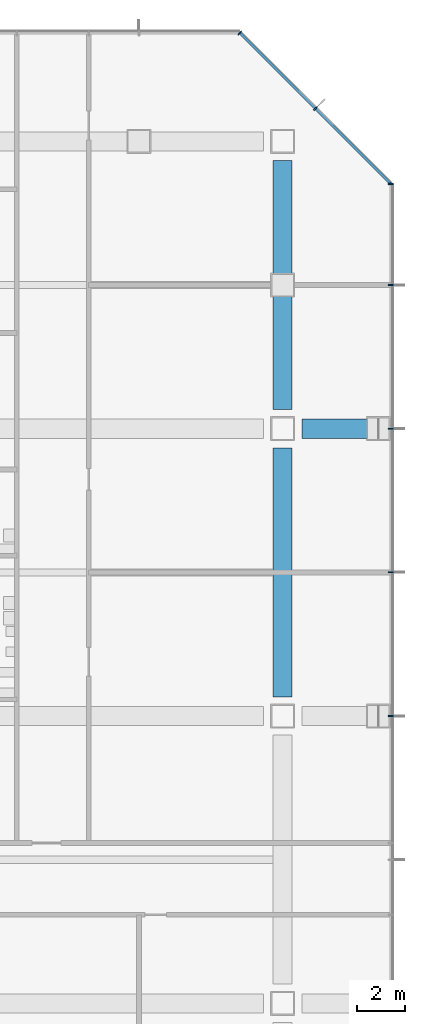
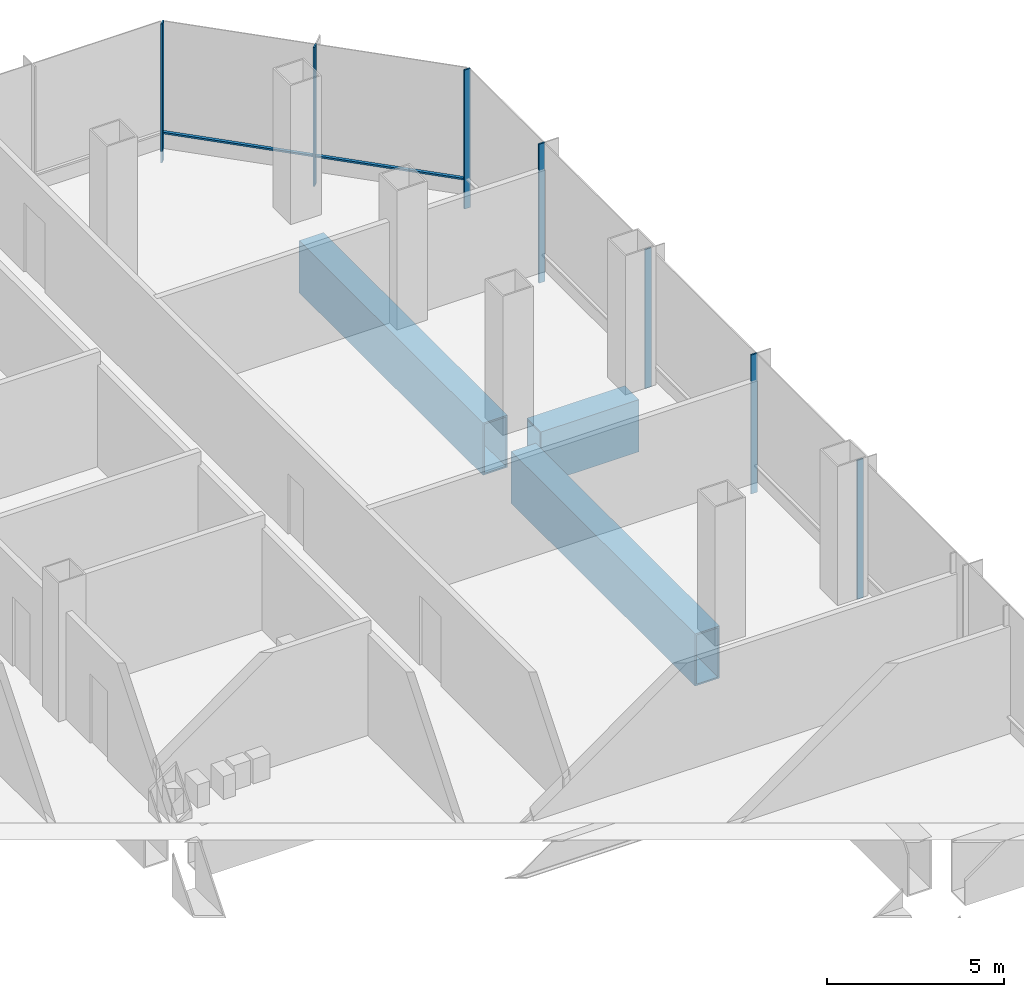
# One storey, part 18 of 34: 8 members, 3 beams, 2 elements without a shape of their own.
"""IFC4 building model written with IfcOpenShell, lengths in metres."""

from ifc_helpers import new_model, si_unit, direction, frame, origin, origin_2d, place, context, subcontext, project, spatial, rectangle, hollow_rectangle, extrude, material, material_profile, profile_set, type_object, element, aggregate, save


model = new_model("IFC4")

# Units and contexts
model_context = context("Model", 3, precision=1e-05, world=origin(), true_north=direction((0.0, 1.0)))
body_context = subcontext(model_context, "Body", "Model", "MODEL_VIEW")
ifc_project = project(units=[si_unit("LENGTHUNIT", "METRE"), si_unit("AREAUNIT", "SQUARE_METRE"), si_unit("VOLUMEUNIT", "CUBIC_METRE"), si_unit("PLANEANGLEUNIT", "RADIAN"), si_unit("MASSUNIT", "GRAM", prefix="KILO")], contexts=[model_context])

# Site, building, storey
site_placement = place(None, origin())
site = spatial("IfcSite", under=ifc_project, at=site_placement, CompositionType="ELEMENT")
building_placement = place(site_placement, origin())
building = spatial("IfcBuilding", under=site, at=building_placement, Name="Sorahane Residences", CompositionType="ELEMENT")
storey_placement = place(building_placement, frame((0.0, 0.0, 20.39990234375)))
storey = spatial("IfcBuildingStorey", under=building, at=storey_placement, Name="L02", CompositionType="ELEMENT", Elevation=20.39990234375)

# Curtain wall, members
ifc_material_1 = material(Name="Dark low-e glass and black anodised aluminium", Category="aluminium")
curtain_wall_type = type_object("IfcCurtainWallType", Name="Curtain wall CW-3 Podium unitised wall", PredefinedType="NOTDEFINED", material=ifc_material_1)
curtain_wall_1_placement = place(storey_placement, origin())
curtain_wall_1 = element("IfcCurtainWall", 1, at=curtain_wall_1_placement, inside=storey, type_object=curtain_wall_type, Name="CW-3 curtain wall L02 E1", PredefinedType="NOTDEFINED")
ifc_material_2 = material(Name="Black anodised aluminium", Category="aluminium")
ifc_material_profile_1 = material_profile(ifc_material_2, rectangle(XDim=0.199951171875, YDim=0.050048828125, at=origin_2d()), Name="Curtain wall mullion CW-3 black anodised aluminium 50x200")
ifc_profile_set_1 = profile_set([ifc_material_profile_1], Name="Black anodised aluminium")
member_type_1 = type_object("IfcMemberType", Name="Curtain wall mullion CW-3 black anodised aluminium 50x200", PredefinedType="MULLION", material=ifc_profile_set_1)
member_1_placement = place(storey_placement, frame((70.52001953125, 24.0, -0.39990234375), z_axis=(0.0, 0.0, 1.0), x_axis=(1.0, 0.0, 0.0)))
member_1 = element("IfcMember", 2, at=member_1_placement, type_object=member_type_1, Name="CW-3 mullion L02 E1.7", PredefinedType="MULLION", context=body_context, shape_type="SweptSolid", body=[
    extrude(rectangle(XDim=0.199951171875, YDim=0.050048828125, at=origin_2d()), origin(), (0.0, 0.0, 1.0), 4.800048828125),
])
member_2_placement = place(storey_placement, frame((70.52001953125, 30.0, -0.39990234375), z_axis=(0.0, 0.0, 1.0), x_axis=(1.0, 0.0, 0.0)))
member_2 = element("IfcMember", 3, at=member_2_placement, type_object=member_type_1, Name="CW-3 mullion L02 E1.8", PredefinedType="MULLION", context=body_context, shape_type="SweptSolid", body=[
    extrude(rectangle(XDim=0.199951171875, YDim=0.050048828125, at=origin_2d()), origin(), (0.0, 0.0, 1.0), 4.800048828125),
])
member_3_placement = place(storey_placement, frame((70.52001953125, 36.0, -0.39990234375), z_axis=(0.0, 0.0, 1.0), x_axis=(1.0, 0.0, 0.0)))
member_3 = element("IfcMember", 4, at=member_3_placement, type_object=member_type_1, Name="CW-3 mullion L02 E1.9", PredefinedType="MULLION", context=body_context, shape_type="SweptSolid", body=[
    extrude(rectangle(XDim=0.199951171875, YDim=0.050048828125, at=origin_2d()), origin(), (0.0, 0.0, 1.0), 4.800048828125),
])
member_4_placement = place(storey_placement, frame((70.52001953125, 42.0, -0.39990234375), z_axis=(0.0, 0.0, 1.0), x_axis=(1.0, 0.0, 0.0)))
member_4 = element("IfcMember", 5, at=member_4_placement, type_object=member_type_1, Name="CW-3 mullion L02 E1.10", PredefinedType="MULLION", context=body_context, shape_type="SweptSolid", body=[
    extrude(rectangle(XDim=0.199951171875, YDim=0.050048828125, at=origin_2d()), origin(), (0.0, 0.0, 1.0), 4.800048828125),
])
member_5_placement = place(storey_placement, frame((70.52001953125, 46.2236328125, -0.39990234375), z_axis=(0.0, 0.0, 1.0), x_axis=(1.0, 0.0, 0.0)))
member_5 = element("IfcMember", 6, at=member_5_placement, type_object=member_type_1, Name="CW-3 mullion L02 E1.11", PredefinedType="MULLION", context=body_context, shape_type="SweptSolid", body=[
    extrude(rectangle(XDim=0.199951171875, YDim=0.050048828125, at=origin_2d()), origin(), (0.0, 0.0, 1.0), 4.800048828125),
])
aggregate(curtain_wall_1, [member_1, member_2, member_3, member_4, member_5])

curtain_wall_2_placement = place(storey_placement, origin())
curtain_wall_2 = element("IfcCurtainWall", 7, at=curtain_wall_2_placement, inside=storey, type_object=curtain_wall_type, Name="CW-3 curtain wall L02 NE1", PredefinedType="NOTDEFINED")
member_6_placement = place(storey_placement, frame((67.36767578125, 49.36767578125, -0.39990234375), z_axis=(0.0, 0.0, 1.0), x_axis=(0.707106781187, 0.707106781187, 0.0)))
member_6 = element("IfcMember", 8, at=member_6_placement, type_object=member_type_1, Name="CW-3 mullion L02 NE1.2", PredefinedType="MULLION", context=body_context, shape_type="SweptSolid", body=[
    extrude(rectangle(XDim=0.199951171875, YDim=0.050048828125, at=origin_2d()), origin(), (0.0, 0.0, 1.0), 4.800048828125),
])
member_7_placement = place(storey_placement, frame((64.209716796875, 52.525634765625, -0.39990234375), z_axis=(0.0, 0.0, 1.0), x_axis=(0.707106781187, 0.707106781187, 0.0)))
member_7 = element("IfcMember", 9, at=member_7_placement, type_object=member_type_1, Name="CW-3 mullion L02 NE1.3", PredefinedType="MULLION", context=body_context, shape_type="SweptSolid", body=[
    extrude(rectangle(XDim=0.199951171875, YDim=0.050048828125, at=origin_2d()), origin(), (0.0, 0.0, 1.0), 4.800048828125),
])
ifc_material_3 = material(Name="Black anodised aluminium", Category="aluminium")
ifc_material_profile_2 = material_profile(ifc_material_3, rectangle(XDim=0.10009765625, YDim=0.06005859375, at=origin_2d()), Name="Curtain wall transom CW-3 black anodised aluminium 60x100")
ifc_profile_set_2 = profile_set([ifc_material_profile_2], Name="Black anodised aluminium")
member_type_2 = type_object("IfcMemberType", Name="Curtain wall transom CW-3 black anodised aluminium 60x100", PredefinedType="USERDEFINED", material=ifc_profile_set_2)
member_8_placement = place(storey_placement, frame((70.51513671875, 46.234375, 0.60009765625), z_axis=(-0.707106781187, 0.707106781187, 0.0), x_axis=(-0.707106781187, -0.707106781187, 0.0)))
member_8 = element("IfcMember", 10, at=member_8_placement, type_object=member_type_2, Name="CW-3 transom L02 NE1", ObjectType="TRANSOM", PredefinedType="USERDEFINED", context=body_context, shape_type="SweptSolid", body=[
    extrude(rectangle(XDim=0.10009765625, YDim=0.06005859375, at=origin_2d()), origin(), (0.0, 0.0, 1.0), 8.88232421875),
])
aggregate(curtain_wall_2, [member_6, member_7, member_8])

# Beams
ifc_material_4 = material(Name="Steel Q420GJ", Category="steel")
ifc_material_profile_3 = material_profile(ifc_material_4, hollow_rectangle(XDim=0.800048828125, YDim=1.800048828125, WallThickness=0.050048828125, at=origin_2d()), Name="BOX 1800x800x50")
ifc_profile_set_3 = profile_set([ifc_material_profile_3], Name="Steel Q420GJ")
beam_type = type_object("IfcBeamType", Name="Steel transfer girder BOX 1800x800x50 Q420GJ", PredefinedType="BEAM", material=ifc_profile_set_3)
beam_placement = place(storey_placement, frame((66.800048828125, 36.0, -1.2998046875), z_axis=(1.0, 0.0, 0.0), x_axis=(0.0, 1.0, 0.0)))
element("IfcBeam", 11, at=beam_placement, inside=storey, type_object=beam_type, Name="Beam L02 015", PredefinedType="BEAM", context=body_context, shape_type="SweptSolid", body=[
    extrude(hollow_rectangle(XDim=0.800048828125, YDim=1.800048828125, WallThickness=0.050048828125, at=origin_2d()), origin(), (0.0, 0.0, 1.0), 3.199951171875),
])
for number, where, z_axis, x_axis, name in (
    (12, (66.0, 24.800048828125, -1.2998046875), (0.0, 1.0, 0.0), (-1.0, 0.0, 0.0), "Beam L02 052"),
    (13, (66.0, 36.800048828125, -1.2998046875), (0.0, 1.0, 0.0), (-1.0, 0.0, 0.0), "Beam L02 053"),
):
    element("IfcBeam", number, at=place(storey_placement, frame(where, z_axis=z_axis, x_axis=x_axis)), inside=storey, type_object=beam_type, Name=name, PredefinedType="BEAM", context=body_context, shape_type="SweptSolid", body=[
        extrude(hollow_rectangle(XDim=0.800048828125, YDim=1.800048828125, WallThickness=0.050048828125, at=origin_2d()), origin(), (0.0, 0.0, 1.0), 10.39990234375),
    ])

save(model, "model.ifc")
